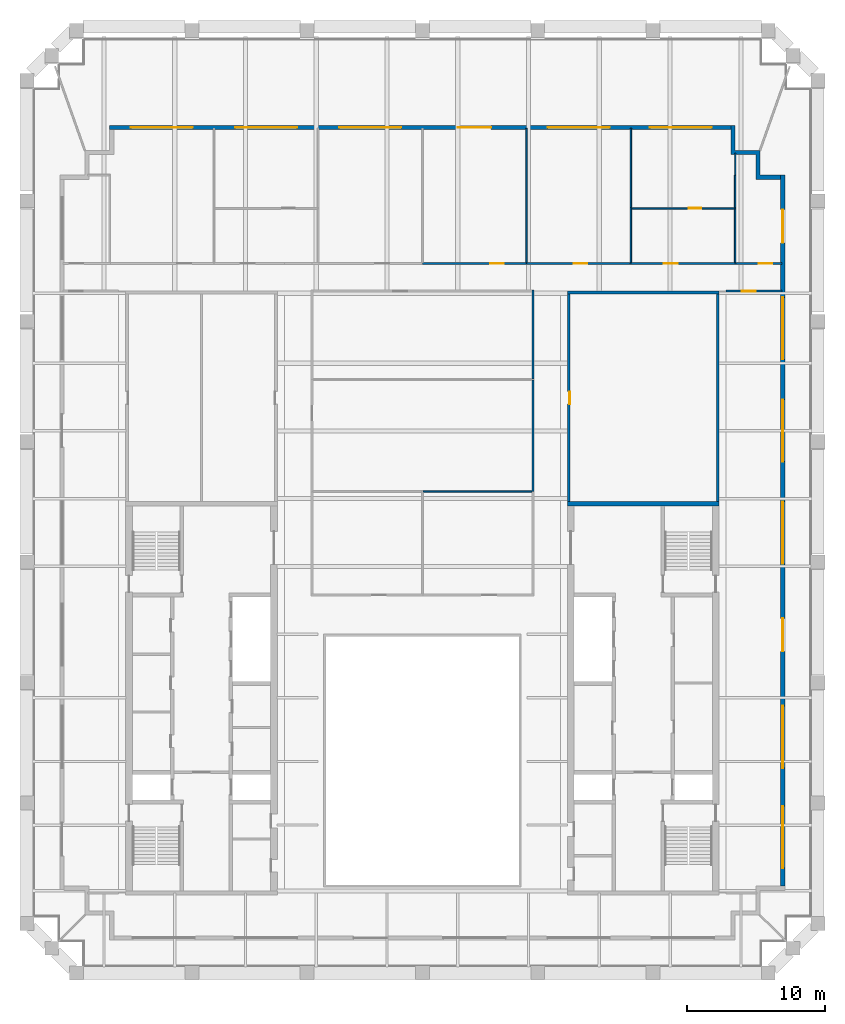
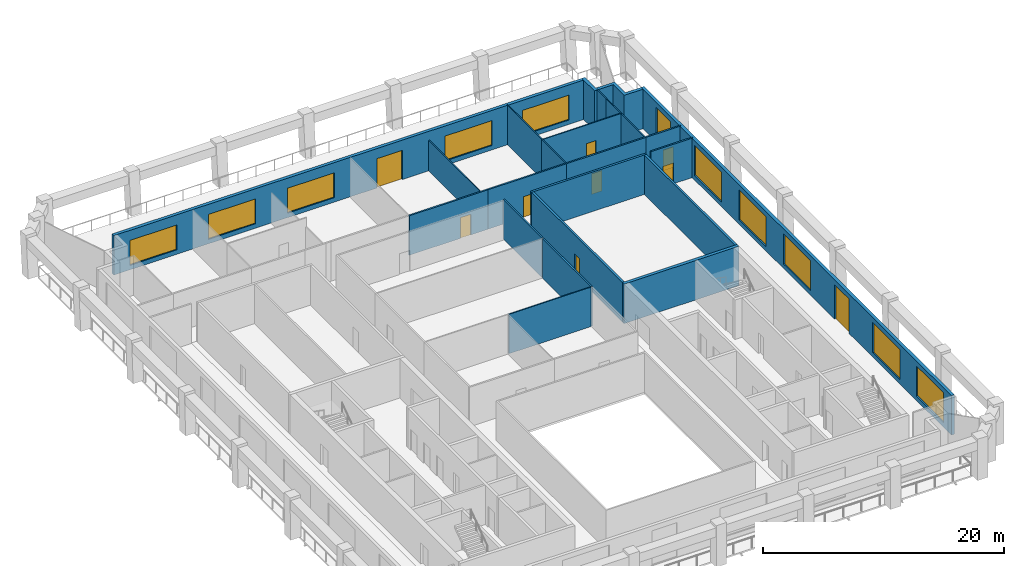
# One storey, part 6 of 8: 22 walls, 10 doors, 10 windows, 20 openings.
"""IFC4 building model written with IfcOpenShell, lengths in metres."""

from ifc_helpers import new_model, si_unit, direction, frame, frame_2d, origin, place, context, subcontext, project, spatial, polyline, rectangle, outline, extrude, material, layer, layer_set, type_object, element, fill, save


model = new_model("IFC4")

# Units and contexts
model_context = context("Model", 3, precision=1e-05, world=origin(), true_north=direction((0.0, 1.0)))
body_context = subcontext(model_context, "Body", "Model", "MODEL_VIEW")
ifc_project = project(units=[si_unit("LENGTHUNIT", "METRE"), si_unit("AREAUNIT", "SQUARE_METRE"), si_unit("VOLUMEUNIT", "CUBIC_METRE"), si_unit("PLANEANGLEUNIT", "RADIAN"), si_unit("MASSUNIT", "GRAM", prefix="KILO")], contexts=[model_context])

# Site, building, storey
site_placement = place(None, origin())
site = spatial("IfcSite", under=ifc_project, at=site_placement, CompositionType="ELEMENT")
building_placement = place(site_placement, origin())
building = spatial("IfcBuilding", under=site, at=building_placement, Name="Ogive Exchange Tower", CompositionType="ELEMENT")
storey_placement = place(building_placement, frame((0.0, 0.0, 351.0)))
storey = spatial("IfcBuildingStorey", under=building, at=storey_placement, Name="L77", CompositionType="ELEMENT", Elevation=351.0)

# Wall, opening, door
ifc_material_1 = material(Name="Fire partition EI 60 150")
ifc_layer_1 = layer(ifc_material_1, 0.14990234375)
ifc_layer_set_1 = layer_set([ifc_layer_1], Name="Fire partition EI 60 150")
wall_type_1 = type_object("IfcWallType", Name="Fire partition EI 60 150", PredefinedType="PARTITIONING", material=ifc_layer_set_1)
wall_1_placement = place(storey_placement, frame((0.0, 43.0, 0.0), z_axis=(0.0, 0.0, 1.0), x_axis=(1.0, 0.0, 0.0)))
wall_1 = element("IfcWall", 1, at=wall_1_placement, inside=storey, type_object=wall_type_1, Name="L77-PWL-025", PredefinedType="PARTITIONING", context=body_context, shape_type="SweptSolid", body=[
    extrude(rectangle(XDim=7.60009765625, YDim=0.14990234375, at=frame_2d((3.800048828125, 0.0))), origin(), (0.0, 0.0, 1.0), 4.0),
])
opening_1_placement = place(wall_1_placement, frame((4.89990234375, 0.0, 0.0)))
opening_1 = element("IfcOpeningElement", 2, at=opening_1_placement, cuts=wall_1, Name="Opening L77-I05", PredefinedType="OPENING", context=body_context, shape_type="SweptSolid", body=[
    extrude(rectangle(XDim=1.0, YDim=2.10009765625, at=frame_2d((0.5, 1.050048828125))), frame((0.0, 0.0849609375, 0.0), z_axis=(0.0, -1.0, 0.0), x_axis=(1.0, 0.0, 0.0)), (0.0, 0.0, 1.0), 0.169921875),
])
ifc_material_2 = material(Name="Fire door FD 30S 1000 x 2100")
door_type_1 = type_object("IfcDoorType", Name="Fire door FD 30S 1000 x 2100", OperationType="NOTDEFINED", PredefinedType="DOOR", material=ifc_material_2)
door_1_placement = place(opening_1_placement, origin())
door_1 = element("IfcDoor", 3, at=door_1_placement, inside=storey, type_object=door_type_1, Name="L77-IDR-005", ObjectType="DT3", OperationType="SINGLE_SWING_LEFT", OverallHeight=2.10009765625, OverallWidth=1.0, PredefinedType="DOOR", context=body_context, shape_type="SweptSolid", body=[
    extrude(rectangle(XDim=1.0, YDim=2.10009765625, at=frame_2d((0.5, 1.050048828125))), frame((0.0, 0.02490234375, 0.0), z_axis=(0.0, -1.0, 0.0), x_axis=(1.0, 0.0, 0.0)), (0.0, 0.0, 1.0), 0.050048828125),
])
fill(opening_1, door_1)

wall_2_placement = place(storey_placement, frame((7.550048828125, 43.0, 0.0), z_axis=(0.0, 0.0, 1.0), x_axis=(1.0, 0.0, 0.0)))
wall_2 = element("IfcWall", 4, at=wall_2_placement, inside=storey, type_object=wall_type_1, Name="L77-PWL-027", PredefinedType="PARTITIONING", context=body_context, shape_type="SweptSolid", body=[
    extrude(rectangle(XDim=7.5, YDim=0.14990234375, at=frame_2d((3.75, 0.0))), origin(), (0.0, 0.0, 1.0), 4.0),
])
opening_2_placement = place(wall_2_placement, frame((3.39990234375, 0.0, 0.0)))
opening_2 = element("IfcOpeningElement", 5, at=opening_2_placement, cuts=wall_2, Name="Opening L77-I02", PredefinedType="OPENING", context=body_context, shape_type="SweptSolid", body=[
    extrude(rectangle(XDim=1.0, YDim=2.10009765625, at=frame_2d((0.5, 1.050048828125))), frame((0.0, 0.0849609375, 0.0), z_axis=(0.0, -1.0, 0.0), x_axis=(1.0, 0.0, 0.0)), (0.0, 0.0, 1.0), 0.169921875),
])
door_2_placement = place(opening_2_placement, origin())
door_2 = element("IfcDoor", 6, at=door_2_placement, inside=storey, type_object=door_type_1, Name="L77-IDR-002", ObjectType="DT3", OperationType="SINGLE_SWING_LEFT", OverallHeight=2.10009765625, OverallWidth=1.0, PredefinedType="DOOR", context=body_context, shape_type="SweptSolid", body=[
    extrude(rectangle(XDim=1.0, YDim=2.10009765625, at=frame_2d((0.5, 1.050048828125))), frame((0.0, 0.02490234375, 0.0), z_axis=(0.0, -1.0, 0.0), x_axis=(1.0, 0.0, 0.0)), (0.0, 0.0, 1.0), 0.050048828125),
])
fill(opening_2, door_2)

# Walls
wall_3_placement = place(storey_placement, frame((8.0, 26.5, 0.0), z_axis=(0.0, 0.0, 1.0), x_axis=(0.0, 1.0, 0.0)))
element("IfcWall", 7, at=wall_3_placement, inside=storey, type_object=wall_type_1, Name="L77-PWL-030", PredefinedType="PARTITIONING", context=body_context, shape_type="SweptSolid", body=[
    extrude(rectangle(XDim=8.050048828125, YDim=0.14990234375, at=frame_2d((4.02490234375, 0.0))), origin(), (0.0, 0.0, 1.0), 4.0),
])
wall_4_placement = place(storey_placement, frame((8.0, 34.64990234375, 0.0), z_axis=(0.0, 0.0, 1.0), x_axis=(0.0, 1.0, 0.0)))
element("IfcWall", 8, at=wall_4_placement, inside=storey, type_object=wall_type_1, Name="L77-PWL-031", PredefinedType="PARTITIONING", context=body_context, shape_type="SweptSolid", body=[
    extrude(rectangle(XDim=6.425048828125, YDim=0.14990234375, at=frame_2d((3.21240234375, 0.0))), origin(), (0.0, 0.0, 1.0), 4.0),
])

# Wall, opening, door
wall_5_placement = place(storey_placement, frame((15.050048828125, 43.0, 0.0), z_axis=(0.0, 0.0, 1.0), x_axis=(1.0, 0.0, 0.0)))
wall_5 = element("IfcWall", 9, at=wall_5_placement, inside=storey, type_object=wall_type_1, Name="L77-PWL-033", PredefinedType="PARTITIONING", context=body_context, shape_type="SweptSolid", body=[
    extrude(rectangle(XDim=7.64990234375, YDim=0.14990234375, at=frame_2d((3.824951171875, 0.0))), origin(), (0.0, 0.0, 1.0), 4.0),
])
opening_3_placement = place(wall_5_placement, frame((2.449951171875, 0.0, 0.0)))
opening_3 = element("IfcOpeningElement", 10, at=opening_3_placement, cuts=wall_5, Name="Opening L77-I03", PredefinedType="OPENING", context=body_context, shape_type="SweptSolid", body=[
    extrude(rectangle(XDim=1.0, YDim=2.10009765625, at=frame_2d((0.5, 1.050048828125))), frame((0.0, 0.0849609375, 0.0), z_axis=(0.0, -1.0, 0.0), x_axis=(1.0, 0.0, 0.0)), (0.0, 0.0, 1.0), 0.169921875),
])
door_3_placement = place(opening_3_placement, origin())
door_3 = element("IfcDoor", 11, at=door_3_placement, inside=storey, type_object=door_type_1, Name="L77-IDR-003", ObjectType="DT3", OperationType="SINGLE_SWING_RIGHT", OverallHeight=2.10009765625, OverallWidth=1.0, PredefinedType="DOOR", context=body_context, shape_type="SweptSolid", body=[
    extrude(rectangle(XDim=1.0, YDim=2.10009765625, at=frame_2d((0.5, 1.050048828125))), frame((0.0, 0.02490234375, 0.0), z_axis=(0.0, -1.0, 0.0), x_axis=(1.0, 0.0, 0.0)), (0.0, 0.0, 1.0), 0.050048828125),
])
fill(opening_3, door_3)

wall_6_placement = place(storey_placement, frame((22.699951171875, 43.0, 0.0), z_axis=(0.0, 0.0, 1.0), x_axis=(1.0, 0.0, 0.0)))
wall_6 = element("IfcWall", 12, at=wall_6_placement, inside=storey, type_object=wall_type_1, Name="L77-PWL-039", PredefinedType="PARTITIONING", context=body_context, shape_type="SweptSolid", body=[
    extrude(rectangle(XDim=3.35009765625, YDim=0.14990234375, at=frame_2d((1.675048828125, 0.0))), origin(), (0.0, 0.0, 1.0), 4.0),
])
opening_4_placement = place(wall_6_placement, frame((1.64990234375, 0.0, 0.0)))
opening_4 = element("IfcOpeningElement", 13, at=opening_4_placement, cuts=wall_6, Name="Opening L77-I01", PredefinedType="OPENING", context=body_context, shape_type="SweptSolid", body=[
    extrude(rectangle(XDim=1.0, YDim=2.10009765625, at=frame_2d((0.5, 1.050048828125))), frame((0.0, 0.0849609375, 0.0), z_axis=(0.0, -1.0, 0.0), x_axis=(1.0, 0.0, 0.0)), (0.0, 0.0, 1.0), 0.169921875),
])
door_4_placement = place(opening_4_placement, origin())
door_4 = element("IfcDoor", 14, at=door_4_placement, inside=storey, type_object=door_type_1, Name="L77-IDR-001", ObjectType="DT3", OperationType="SINGLE_SWING_LEFT", OverallHeight=2.10009765625, OverallWidth=1.0, PredefinedType="DOOR", context=body_context, shape_type="SweptSolid", body=[
    extrude(rectangle(XDim=1.0, YDim=2.10009765625, at=frame_2d((0.5, 1.050048828125))), frame((0.0, 0.02490234375, 0.0), z_axis=(0.0, -1.0, 0.0), x_axis=(1.0, 0.0, 0.0)), (0.0, 0.0, 1.0), 0.050048828125),
])
fill(opening_4, door_4)

wall_7_placement = place(storey_placement, frame((26.050048828125, 41.0, 0.0), z_axis=(0.0, 0.0, 1.0), x_axis=(-1.0, 0.0, 0.0)))
wall_7 = element("IfcWall", 15, at=wall_7_placement, inside=storey, type_object=wall_type_1, Name="L77-PWL-042", PredefinedType="PARTITIONING", context=body_context, shape_type="SweptSolid", body=[
    extrude(rectangle(XDim=4.050048828125, YDim=0.14990234375, at=frame_2d((2.02490234375, 0.0))), origin(), (0.0, 0.0, 1.0), 4.0),
])
opening_5_placement = place(wall_7_placement, frame((1.89990234375, 0.0, 0.0)))
opening_5 = element("IfcOpeningElement", 16, at=opening_5_placement, cuts=wall_7, Name="Opening L77-I16", PredefinedType="OPENING", context=body_context, shape_type="SweptSolid", body=[
    extrude(rectangle(XDim=1.0, YDim=2.10009765625, at=frame_2d((0.5, 1.050048828125))), frame((0.0, 0.0849609375, 0.0), z_axis=(0.0, -1.0, 0.0), x_axis=(1.0, 0.0, 0.0)), (0.0, 0.0, 1.0), 0.169921875),
])
door_5_placement = place(opening_5_placement, origin())
door_5 = element("IfcDoor", 17, at=door_5_placement, inside=storey, type_object=door_type_1, Name="L77-IDR-016", ObjectType="DT3", OperationType="SINGLE_SWING_LEFT", OverallHeight=2.10009765625, OverallWidth=1.0, PredefinedType="DOOR", context=body_context, shape_type="SweptSolid", body=[
    extrude(rectangle(XDim=1.0, YDim=2.10009765625, at=frame_2d((0.5, 1.050048828125))), frame((0.0, 0.02490234375, 0.0), z_axis=(0.0, -1.0, 0.0), x_axis=(1.0, 0.0, 0.0)), (0.0, 0.0, 1.0), 0.050048828125),
])
fill(opening_5, door_5)

# Wall, openings, doors, windows
ifc_material_3 = material(Name="Precast concrete C40/50", Category="concrete")
ifc_layer_2 = layer(ifc_material_3, 0.300048828125)
ifc_layer_set_2 = layer_set([ifc_layer_2], Name="Limestone-faced wall 300")
wall_type_2 = type_object("IfcWallType", Name="Limestone-faced wall 300", PredefinedType="STANDARD", material=ifc_layer_set_2)
wall_8_placement = place(storey_placement, frame((26.10009765625, -2.10009765625, 0.0), z_axis=(0.0, 0.0, 1.0), x_axis=(0.0, 1.0, 0.0)))
wall_8 = element("IfcWall", 18, at=wall_8_placement, inside=storey, type_object=wall_type_2, Name="External wall E2", PredefinedType="STANDARD", context=body_context, shape_type="SweptSolid", body=[
    extrude(rectangle(XDim=51.5, YDim=0.300048828125, at=frame_2d((25.75, 0.0))), origin(), (0.0, 0.0, 1.0), 4.0),
])
opening_6_placement = place(wall_8_placement, frame((1.300048828125, 0.0, 0.449951171875)))
opening_6 = element("IfcOpeningElement", 19, at=opening_6_placement, cuts=wall_8, Name="Opening W1", PredefinedType="OPENING", context=body_context, shape_type="SweptSolid", body=[
    extrude(rectangle(XDim=4.5, YDim=3.050048828125, at=frame_2d((2.25, 1.52490234375))), frame((0.0, 0.159912109375, 0.0), z_axis=(0.0, -1.0, 0.0), x_axis=(1.0, 0.0, 0.0)), (0.0, 0.0, 1.0), 0.320068359375),
])
opening_7_placement = place(wall_8_placement, frame((8.550048828125, 0.0, 0.449951171875)))
opening_7 = element("IfcOpeningElement", 20, at=opening_7_placement, cuts=wall_8, Name="Opening W1", PredefinedType="OPENING", context=body_context, shape_type="SweptSolid", body=[
    extrude(rectangle(XDim=4.5, YDim=3.050048828125, at=frame_2d((2.25, 1.52490234375))), frame((0.0, 0.159912109375, 0.0), z_axis=(0.0, -1.0, 0.0), x_axis=(1.0, 0.0, 0.0)), (0.0, 0.0, 1.0), 0.320068359375),
])
opening_8_placement = place(wall_8_placement, frame((17.0, 0.0, 0.0)))
opening_8 = element("IfcOpeningElement", 21, at=opening_8_placement, cuts=wall_8, Name="Opening D1", PredefinedType="OPENING", context=body_context, shape_type="SweptSolid", body=[
    extrude(rectangle(XDim=2.39990234375, YDim=3.5, at=frame_2d((1.199951171875, 1.75))), frame((0.0, 0.159912109375, 0.0), z_axis=(0.0, -1.0, 0.0), x_axis=(1.0, 0.0, 0.0)), (0.0, 0.0, 1.0), 0.320068359375),
])
opening_9_placement = place(wall_8_placement, frame((23.35009765625, 0.0, 0.449951171875)))
opening_9 = element("IfcOpeningElement", 22, at=opening_9_placement, cuts=wall_8, Name="Opening W1", PredefinedType="OPENING", context=body_context, shape_type="SweptSolid", body=[
    extrude(rectangle(XDim=4.5, YDim=3.050048828125, at=frame_2d((2.25, 1.52490234375))), frame((0.0, 0.159912109375, 0.0), z_axis=(0.0, -1.0, 0.0), x_axis=(1.0, 0.0, 0.0)), (0.0, 0.0, 1.0), 0.320068359375),
])
opening_10_placement = place(wall_8_placement, frame((30.75, 0.0, 0.449951171875)))
opening_10 = element("IfcOpeningElement", 23, at=opening_10_placement, cuts=wall_8, Name="Opening W1", PredefinedType="OPENING", context=body_context, shape_type="SweptSolid", body=[
    extrude(rectangle(XDim=4.5, YDim=3.050048828125, at=frame_2d((2.25, 1.52490234375))), frame((0.0, 0.159912109375, 0.0), z_axis=(0.0, -1.0, 0.0), x_axis=(1.0, 0.0, 0.0)), (0.0, 0.0, 1.0), 0.320068359375),
])
opening_11_placement = place(wall_8_placement, frame((38.14990234375, 0.0, 0.449951171875)))
opening_11 = element("IfcOpeningElement", 24, at=opening_11_placement, cuts=wall_8, Name="Opening W1", PredefinedType="OPENING", context=body_context, shape_type="SweptSolid", body=[
    extrude(rectangle(XDim=4.5, YDim=3.050048828125, at=frame_2d((2.25, 1.52490234375))), frame((0.0, 0.159912109375, 0.0), z_axis=(0.0, -1.0, 0.0), x_axis=(1.0, 0.0, 0.0)), (0.0, 0.0, 1.0), 0.320068359375),
])
opening_12_placement = place(wall_8_placement, frame((46.60009765625, 0.0, 0.0)))
opening_12 = element("IfcOpeningElement", 25, at=opening_12_placement, cuts=wall_8, Name="Opening D1", PredefinedType="OPENING", context=body_context, shape_type="SweptSolid", body=[
    extrude(rectangle(XDim=2.39990234375, YDim=3.5, at=frame_2d((1.199951171875, 1.75))), frame((0.0, 0.159912109375, 0.0), z_axis=(0.0, -1.0, 0.0), x_axis=(1.0, 0.0, 0.0)), (0.0, 0.0, 1.0), 0.320068359375),
])
ifc_material_4 = material(Name="Clear glass in bronze frame", Category="glass")
door_type_2 = type_object("IfcDoorType", Name="Sliding loggia door 2400 x 3500", OperationType="DOUBLE_DOOR_SLIDING", PredefinedType="DOOR", material=ifc_material_4)
door_6_placement = place(opening_8_placement, origin())
door_6 = element("IfcDoor", 26, at=door_6_placement, inside=storey, type_object=door_type_2, Name="Loggia door E02", OperationType="DOUBLE_DOOR_SLIDING", OverallHeight=3.5, OverallWidth=2.39990234375, PredefinedType="DOOR", context=body_context, shape_type="SweptSolid", body=[
    extrude(rectangle(XDim=2.39990234375, YDim=3.5, at=frame_2d((1.199951171875, 1.75))), frame((0.0, 0.02490234375, 0.0), z_axis=(0.0, -1.0, 0.0), x_axis=(1.0, 0.0, 0.0)), (0.0, 0.0, 1.0), 0.050048828125),
])
fill(opening_8, door_6)
door_7_placement = place(opening_12_placement, origin())
door_7 = element("IfcDoor", 27, at=door_7_placement, inside=storey, type_object=door_type_2, Name="Loggia door E06", OperationType="DOUBLE_DOOR_SLIDING", OverallHeight=3.5, OverallWidth=2.39990234375, PredefinedType="DOOR", context=body_context, shape_type="SweptSolid", body=[
    extrude(rectangle(XDim=2.39990234375, YDim=3.5, at=frame_2d((1.199951171875, 1.75))), frame((0.0, 0.02490234375, 0.0), z_axis=(0.0, -1.0, 0.0), x_axis=(1.0, 0.0, 0.0)), (0.0, 0.0, 1.0), 0.050048828125),
])
fill(opening_12, door_7)
window_type_1 = type_object("IfcWindowType", Name="Twin lancet window 4500 x 3050", PartitioningType="DOUBLE_PANEL_VERTICAL", PredefinedType="WINDOW", material=ifc_material_4)
window_1_placement = place(opening_6_placement, origin())
window_1 = element("IfcWindow", 28, at=window_1_placement, inside=storey, type_object=window_type_1, Name="Window E00", OverallHeight=3.050048828125, OverallWidth=4.5, PartitioningType="DOUBLE_PANEL_VERTICAL", PredefinedType="WINDOW", context=body_context, shape_type="SweptSolid", body=[
    extrude(rectangle(XDim=4.5, YDim=3.050048828125, at=frame_2d((2.25, 1.52490234375))), frame((0.0, 0.030029296875, 0.0), z_axis=(0.0, -1.0, 0.0), x_axis=(1.0, 0.0, 0.0)), (0.0, 0.0, 1.0), 0.06005859375),
])
fill(opening_6, window_1)
window_2_placement = place(opening_7_placement, origin())
window_2 = element("IfcWindow", 29, at=window_2_placement, inside=storey, type_object=window_type_1, Name="Window E01", OverallHeight=3.050048828125, OverallWidth=4.5, PartitioningType="DOUBLE_PANEL_VERTICAL", PredefinedType="WINDOW", context=body_context, shape_type="SweptSolid", body=[
    extrude(rectangle(XDim=4.5, YDim=3.050048828125, at=frame_2d((2.25, 1.52490234375))), frame((0.0, 0.030029296875, 0.0), z_axis=(0.0, -1.0, 0.0), x_axis=(1.0, 0.0, 0.0)), (0.0, 0.0, 1.0), 0.06005859375),
])
fill(opening_7, window_2)
window_3_placement = place(opening_9_placement, origin())
window_3 = element("IfcWindow", 30, at=window_3_placement, inside=storey, type_object=window_type_1, Name="Window E03", OverallHeight=3.050048828125, OverallWidth=4.5, PartitioningType="DOUBLE_PANEL_VERTICAL", PredefinedType="WINDOW", context=body_context, shape_type="SweptSolid", body=[
    extrude(rectangle(XDim=4.5, YDim=3.050048828125, at=frame_2d((2.25, 1.52490234375))), frame((0.0, 0.030029296875, 0.0), z_axis=(0.0, -1.0, 0.0), x_axis=(1.0, 0.0, 0.0)), (0.0, 0.0, 1.0), 0.06005859375),
])
fill(opening_9, window_3)
window_4_placement = place(opening_10_placement, origin())
window_4 = element("IfcWindow", 31, at=window_4_placement, inside=storey, type_object=window_type_1, Name="Window E04", OverallHeight=3.050048828125, OverallWidth=4.5, PartitioningType="DOUBLE_PANEL_VERTICAL", PredefinedType="WINDOW", context=body_context, shape_type="SweptSolid", body=[
    extrude(rectangle(XDim=4.5, YDim=3.050048828125, at=frame_2d((2.25, 1.52490234375))), frame((0.0, 0.030029296875, 0.0), z_axis=(0.0, -1.0, 0.0), x_axis=(1.0, 0.0, 0.0)), (0.0, 0.0, 1.0), 0.06005859375),
])
fill(opening_10, window_4)
window_5_placement = place(opening_11_placement, origin())
window_5 = element("IfcWindow", 32, at=window_5_placement, inside=storey, type_object=window_type_1, Name="Window E05", OverallHeight=3.050048828125, OverallWidth=4.5, PartitioningType="DOUBLE_PANEL_VERTICAL", PredefinedType="WINDOW", context=body_context, shape_type="SweptSolid", body=[
    extrude(rectangle(XDim=4.5, YDim=3.050048828125, at=frame_2d((2.25, 1.52490234375))), frame((0.0, 0.030029296875, 0.0), z_axis=(0.0, -1.0, 0.0), x_axis=(1.0, 0.0, 0.0)), (0.0, 0.0, 1.0), 0.06005859375),
])
fill(opening_11, window_5)

# Wall, openings, door, windows
wall_9_placement = place(storey_placement, frame((22.35009765625, 52.85009765625, 0.0), z_axis=(0.0, 0.0, 1.0), x_axis=(-1.0, 0.0, 0.0)))
wall_9 = element("IfcWall", 33, at=wall_9_placement, inside=storey, type_object=wall_type_2, Name="External wall N3", PredefinedType="STANDARD", context=body_context, shape_type="SweptSolid", body=[
    extrude(rectangle(XDim=45.0, YDim=0.300048828125, at=frame_2d((22.5, 0.0))), origin(), (0.0, 0.0, 1.0), 4.0),
])
opening_13_placement = place(wall_9_placement, frame((1.375, 0.0, 0.449951171875)))
opening_13 = element("IfcOpeningElement", 34, at=opening_13_placement, cuts=wall_9, Name="Opening W1N", PredefinedType="OPENING", context=body_context, shape_type="SweptSolid", body=[
    extrude(rectangle(XDim=4.5, YDim=2.52490234375, at=frame_2d((2.25, 1.262451171875))), frame((0.0, 0.159912109375, 0.0), z_axis=(0.0, -1.0, 0.0), x_axis=(1.0, 0.0, 0.0)), (0.0, 0.0, 1.0), 0.320068359375),
])
opening_14_placement = place(wall_9_placement, frame((8.77490234375, 0.0, 0.449951171875)))
opening_14 = element("IfcOpeningElement", 35, at=opening_14_placement, cuts=wall_9, Name="Opening W1N", PredefinedType="OPENING", context=body_context, shape_type="SweptSolid", body=[
    extrude(rectangle(XDim=4.5, YDim=2.52490234375, at=frame_2d((2.25, 1.262451171875))), frame((0.0, 0.159912109375, 0.0), z_axis=(0.0, -1.0, 0.0), x_axis=(1.0, 0.0, 0.0)), (0.0, 0.0, 1.0), 0.320068359375),
])
opening_15_placement = place(wall_9_placement, frame((17.375, 0.0, 0.0)))
opening_15 = element("IfcOpeningElement", 36, at=opening_15_placement, cuts=wall_9, Name="Opening D1N", PredefinedType="OPENING", context=body_context, shape_type="SweptSolid", body=[
    extrude(rectangle(XDim=2.39990234375, YDim=2.97509765625, at=frame_2d((1.199951171875, 1.487548828125))), frame((0.0, 0.159912109375, 0.0), z_axis=(0.0, -1.0, 0.0), x_axis=(1.0, 0.0, 0.0)), (0.0, 0.0, 1.0), 0.320068359375),
])
opening_16_placement = place(wall_9_placement, frame((23.875, 0.0, 0.449951171875)))
opening_16 = element("IfcOpeningElement", 37, at=opening_16_placement, cuts=wall_9, Name="Opening W1N", PredefinedType="OPENING", context=body_context, shape_type="SweptSolid", body=[
    extrude(rectangle(XDim=4.5, YDim=2.52490234375, at=frame_2d((2.25, 1.262451171875))), frame((0.0, 0.159912109375, 0.0), z_axis=(0.0, -1.0, 0.0), x_axis=(1.0, 0.0, 0.0)), (0.0, 0.0, 1.0), 0.320068359375),
])
opening_17_placement = place(wall_9_placement, frame((31.425048828125, 0.0, 0.449951171875)))
opening_17 = element("IfcOpeningElement", 38, at=opening_17_placement, cuts=wall_9, Name="Opening W1N", PredefinedType="OPENING", context=body_context, shape_type="SweptSolid", body=[
    extrude(rectangle(XDim=4.5, YDim=2.52490234375, at=frame_2d((2.25, 1.262451171875))), frame((0.0, 0.159912109375, 0.0), z_axis=(0.0, -1.0, 0.0), x_axis=(1.0, 0.0, 0.0)), (0.0, 0.0, 1.0), 0.320068359375),
])
opening_18_placement = place(wall_9_placement, frame((38.97509765625, 0.0, 0.449951171875)))
opening_18 = element("IfcOpeningElement", 39, at=opening_18_placement, cuts=wall_9, Name="Opening W1N", PredefinedType="OPENING", context=body_context, shape_type="SweptSolid", body=[
    extrude(rectangle(XDim=4.5, YDim=2.52490234375, at=frame_2d((2.25, 1.262451171875))), frame((0.0, 0.159912109375, 0.0), z_axis=(0.0, -1.0, 0.0), x_axis=(1.0, 0.0, 0.0)), (0.0, 0.0, 1.0), 0.320068359375),
])
door_type_3 = type_object("IfcDoorType", Name="Sliding loggia door 2400 x 2975", OperationType="DOUBLE_DOOR_SLIDING", PredefinedType="DOOR", material=ifc_material_4)
door_8_placement = place(opening_15_placement, origin())
door_8 = element("IfcDoor", 40, at=door_8_placement, inside=storey, type_object=door_type_3, Name="Loggia door N02", OperationType="DOUBLE_DOOR_SLIDING", OverallHeight=2.97509765625, OverallWidth=2.39990234375, PredefinedType="DOOR", context=body_context, shape_type="SweptSolid", body=[
    extrude(rectangle(XDim=2.39990234375, YDim=2.97509765625, at=frame_2d((1.199951171875, 1.487548828125))), frame((0.0, 0.02490234375, 0.0), z_axis=(0.0, -1.0, 0.0), x_axis=(1.0, 0.0, 0.0)), (0.0, 0.0, 1.0), 0.050048828125),
])
fill(opening_15, door_8)
window_type_2 = type_object("IfcWindowType", Name="Twin lancet window 4500 x 2525", PartitioningType="DOUBLE_PANEL_VERTICAL", PredefinedType="WINDOW", material=ifc_material_4)
window_6_placement = place(opening_13_placement, origin())
window_6 = element("IfcWindow", 41, at=window_6_placement, inside=storey, type_object=window_type_2, Name="Window N00", OverallHeight=2.52490234375, OverallWidth=4.5, PartitioningType="DOUBLE_PANEL_VERTICAL", PredefinedType="WINDOW", context=body_context, shape_type="SweptSolid", body=[
    extrude(rectangle(XDim=4.5, YDim=2.52490234375, at=frame_2d((2.25, 1.262451171875))), frame((0.0, 0.030029296875, 0.0), z_axis=(0.0, -1.0, 0.0), x_axis=(1.0, 0.0, 0.0)), (0.0, 0.0, 1.0), 0.06005859375),
])
fill(opening_13, window_6)
window_7_placement = place(opening_14_placement, origin())
window_7 = element("IfcWindow", 42, at=window_7_placement, inside=storey, type_object=window_type_2, Name="Window N01", OverallHeight=2.52490234375, OverallWidth=4.5, PartitioningType="DOUBLE_PANEL_VERTICAL", PredefinedType="WINDOW", context=body_context, shape_type="SweptSolid", body=[
    extrude(rectangle(XDim=4.5, YDim=2.52490234375, at=frame_2d((2.25, 1.262451171875))), frame((0.0, 0.030029296875, 0.0), z_axis=(0.0, -1.0, 0.0), x_axis=(1.0, 0.0, 0.0)), (0.0, 0.0, 1.0), 0.06005859375),
])
fill(opening_14, window_7)
window_8_placement = place(opening_16_placement, origin())
window_8 = element("IfcWindow", 43, at=window_8_placement, inside=storey, type_object=window_type_2, Name="Window N03", OverallHeight=2.52490234375, OverallWidth=4.5, PartitioningType="DOUBLE_PANEL_VERTICAL", PredefinedType="WINDOW", context=body_context, shape_type="SweptSolid", body=[
    extrude(rectangle(XDim=4.5, YDim=2.52490234375, at=frame_2d((2.25, 1.262451171875))), frame((0.0, 0.030029296875, 0.0), z_axis=(0.0, -1.0, 0.0), x_axis=(1.0, 0.0, 0.0)), (0.0, 0.0, 1.0), 0.06005859375),
])
fill(opening_16, window_8)
window_9_placement = place(opening_17_placement, origin())
window_9 = element("IfcWindow", 44, at=window_9_placement, inside=storey, type_object=window_type_2, Name="Window N04", OverallHeight=2.52490234375, OverallWidth=4.5, PartitioningType="DOUBLE_PANEL_VERTICAL", PredefinedType="WINDOW", context=body_context, shape_type="SweptSolid", body=[
    extrude(rectangle(XDim=4.5, YDim=2.52490234375, at=frame_2d((2.25, 1.262451171875))), frame((0.0, 0.030029296875, 0.0), z_axis=(0.0, -1.0, 0.0), x_axis=(1.0, 0.0, 0.0)), (0.0, 0.0, 1.0), 0.06005859375),
])
fill(opening_17, window_9)
window_10_placement = place(opening_18_placement, origin())
window_10 = element("IfcWindow", 45, at=window_10_placement, inside=storey, type_object=window_type_2, Name="Window N05", OverallHeight=2.52490234375, OverallWidth=4.5, PartitioningType="DOUBLE_PANEL_VERTICAL", PredefinedType="WINDOW", context=body_context, shape_type="SweptSolid", body=[
    extrude(rectangle(XDim=4.5, YDim=2.52490234375, at=frame_2d((2.25, 1.262451171875))), frame((0.0, 0.030029296875, 0.0), z_axis=(0.0, -1.0, 0.0), x_axis=(1.0, 0.0, 0.0)), (0.0, 0.0, 1.0), 0.06005859375),
])
fill(opening_18, window_10)

# Walls
wall_10_placement = place(storey_placement, origin())
element("IfcWall", 46, at=wall_10_placement, inside=storey, type_object=wall_type_2, Name="External corner wall C2", PredefinedType="STANDARD", context=body_context, shape_type="SweptSolid", body=[
    extrude(outline(polyline([(24.14990234375, 50.89990234375), (22.35009765625, 50.89990234375), (22.35009765625, 53.0), (22.64990234375, 53.0), (22.64990234375, 51.199951171875), (24.449951171875, 51.199951171875), (24.449951171875, 49.39990234375), (25.949951171875, 49.39990234375), (25.949951171875, 49.10009765625), (24.14990234375, 49.10009765625), (24.14990234375, 50.89990234375)])), origin(), (0.0, 0.0, 1.0), 4.0),
])
ifc_material_5 = material(Name="Partition 100 gypsum")
ifc_layer_3 = layer(ifc_material_5, 0.10009765625)
ifc_layer_set_3 = layer_set([ifc_layer_3], Name="Partition 100 gypsum")
wall_type_3 = type_object("IfcWallType", Name="Partition 100 gypsum", PredefinedType="PARTITIONING", material=ifc_layer_set_3)
wall_11_placement = place(storey_placement, frame((7.550048828125, 43.074951171875, 0.0), z_axis=(0.0, 0.0, 1.0), x_axis=(0.0, 1.0, 0.0)))
element("IfcWall", 47, at=wall_11_placement, inside=storey, type_object=wall_type_3, Name="L77-PWL-026", PredefinedType="PARTITIONING", context=body_context, shape_type="SweptSolid", body=[
    extrude(rectangle(XDim=9.72509765625, YDim=0.10009765625, at=frame_2d((4.862548828125, 0.0))), origin(), (0.0, 0.0, 1.0), 3.095947265625),
])
wall_12_placement = place(storey_placement, frame((7.925048828125, 26.5, 0.0), z_axis=(0.0, 0.0, 1.0), x_axis=(-1.0, 0.0, 0.0)))
element("IfcWall", 48, at=wall_12_placement, inside=storey, type_object=wall_type_3, Name="L77-PWL-029", PredefinedType="PARTITIONING", context=body_context, shape_type="SweptSolid", body=[
    extrude(rectangle(XDim=7.875, YDim=0.10009765625, at=frame_2d((3.9375, 0.0))), origin(), (0.0, 0.0, 1.0), 4.0),
])
wall_13_placement = place(storey_placement, frame((15.10009765625, 47.050048828125, 0.0), z_axis=(0.0, 0.0, 1.0), x_axis=(0.0, -1.0, 0.0)))
element("IfcWall", 49, at=wall_13_placement, inside=storey, type_object=wall_type_3, Name="L77-PWL-034", PredefinedType="PARTITIONING", context=body_context, shape_type="SweptSolid", body=[
    extrude(rectangle(XDim=3.97509765625, YDim=0.10009765625, at=frame_2d((1.987548828125, 0.0))), origin(), (0.0, 0.0, 1.0), 4.0),
])

# Wall, opening, door
wall_14_placement = place(storey_placement, frame((15.14990234375, 47.0, 0.0), z_axis=(0.0, 0.0, 1.0), x_axis=(1.0, 0.0, 0.0)))
wall_14 = element("IfcWall", 50, at=wall_14_placement, inside=storey, type_object=wall_type_3, Name="L77-PWL-035", PredefinedType="PARTITIONING", context=body_context, shape_type="SweptSolid", body=[
    extrude(rectangle(XDim=7.550048828125, YDim=0.10009765625, at=frame_2d((3.77490234375, 0.0))), origin(), (0.0, 0.0, 1.0), 4.0),
])
opening_19_placement = place(wall_14_placement, frame((4.14990234375, 0.0, 0.0)))
opening_19 = element("IfcOpeningElement", 51, at=opening_19_placement, cuts=wall_14, Name="Opening L77-I04", PredefinedType="OPENING", context=body_context, shape_type="SweptSolid", body=[
    extrude(rectangle(XDim=0.89990234375, YDim=2.10009765625, at=frame_2d((0.449951171875, 1.050048828125))), frame((0.0, 0.06005859375, 0.0), z_axis=(0.0, -1.0, 0.0), x_axis=(1.0, 0.0, 0.0)), (0.0, 0.0, 1.0), 0.1201171875),
])
ifc_material_6 = material(Name="Door 900 x 2100")
door_type_4 = type_object("IfcDoorType", Name="Door 900 x 2100", OperationType="NOTDEFINED", PredefinedType="DOOR", material=ifc_material_6)
door_9_placement = place(opening_19_placement, frame((0.89990234375, 0.0, 0.0), z_axis=(0.0, 0.0, 1.0), x_axis=(-1.0, 0.0, 0.0)))
door_9 = element("IfcDoor", 52, at=door_9_placement, inside=storey, type_object=door_type_4, Name="L77-IDR-004", ObjectType="DT1", OperationType="SINGLE_SWING_RIGHT", OverallHeight=2.10009765625, OverallWidth=0.89990234375, PredefinedType="DOOR", context=body_context, shape_type="SweptSolid", body=[
    extrude(rectangle(XDim=0.89990234375, YDim=2.10009765625, at=frame_2d((0.449951171875, 1.050048828125))), frame((0.0, 0.02490234375, 0.0), z_axis=(0.0, -1.0, 0.0), x_axis=(1.0, 0.0, 0.0)), (0.0, 0.0, 1.0), 0.050048828125),
])
fill(opening_19, door_9)

# Walls
wall_15_placement = place(storey_placement, frame((15.10009765625, 52.800048828125, 0.0), z_axis=(0.0, 0.0, 1.0), x_axis=(0.0, -1.0, 0.0)))
element("IfcWall", 53, at=wall_15_placement, inside=storey, type_object=wall_type_3, Name="L77-PWL-036", PredefinedType="PARTITIONING", context=body_context, shape_type="SweptSolid", body=[
    extrude(rectangle(XDim=5.800048828125, YDim=0.10009765625, at=frame_2d((2.89990234375, 0.0))), origin(), (0.0, 0.0, 1.0), 4.0),
])
wall_16_placement = place(storey_placement, frame((22.64990234375, 43.074951171875, 0.0), z_axis=(0.0, 0.0, 1.0), x_axis=(0.0, 1.0, 0.0)))
element("IfcWall", 54, at=wall_16_placement, inside=storey, type_object=wall_type_3, Name="L77-PWL-038", PredefinedType="PARTITIONING", context=body_context, shape_type="SweptSolid", body=[
    extrude(rectangle(XDim=3.875, YDim=0.10009765625, at=frame_2d((1.9375, 0.0))), origin(), (0.0, 0.0, 1.0), 4.0),
])
wall_17_placement = place(storey_placement, frame((22.64990234375, 47.050048828125, 0.0), z_axis=(0.0, 0.0, 1.0), x_axis=(0.0, 1.0, 0.0)))
element("IfcWall", 55, at=wall_17_placement, inside=storey, type_object=wall_type_3, Name="L77-PWL-040", PredefinedType="PARTITIONING", context=body_context, shape_type="SweptSolid", body=[
    extrude(rectangle(XDim=2.35986328125, YDim=0.10009765625, at=frame_2d((1.179931640625, 0.0))), origin(), (0.0, 0.0, 1.0), 4.0),
])
wall_18_placement = place(storey_placement, frame((22.659912109375, 49.409912109375, 0.0), z_axis=(0.0, 0.0, 1.0), x_axis=(0.0, 1.0, 0.0)))
element("IfcWall", 56, at=wall_18_placement, inside=storey, type_object=wall_type_3, Name="L77-PWL-041", PredefinedType="PARTITIONING", context=body_context, shape_type="SweptSolid", body=[
    extrude(rectangle(XDim=1.590087890625, YDim=0.10009765625, at=frame_2d((0.794921875, 0.0))), origin(), (0.0, 0.0, 1.0), 4.0),
])
ifc_material_7 = material(Name="Concrete C70/85", Category="concrete")
ifc_layer_4 = layer(ifc_material_7, 0.199951171875)
ifc_layer_set_4 = layer_set([ifc_layer_4], Name="RC core wall 200 C70/85")
wall_type_4 = type_object("IfcWallType", Name="RC core wall 200 C70/85", PredefinedType="SHEAR", material=ifc_layer_set_4)
wall_19_placement = place(storey_placement, frame((21.39990234375, 25.75, 0.0), z_axis=(0.0, 0.0, 1.0), x_axis=(0.0, 1.0, 0.0)))
element("IfcWall", 57, at=wall_19_placement, inside=storey, type_object=wall_type_4, Name="E annex N outer wall", PredefinedType="SHEAR", context=body_context, shape_type="SweptSolid", body=[
    extrude(rectangle(XDim=15.050048828125, YDim=0.199951171875, at=frame_2d((7.52490234375, 0.0))), origin(), (0.0, 0.0, 1.0), 4.0),
])

# Wall, opening, door
wall_20_placement = place(storey_placement, frame((10.60009765625, 25.75, 0.0), z_axis=(0.0, 0.0, 1.0), x_axis=(0.0, 1.0, 0.0)))
wall_20 = element("IfcWall", 58, at=wall_20_placement, inside=storey, type_object=wall_type_4, Name="E annex N inner wall", PredefinedType="SHEAR", context=body_context, shape_type="SweptSolid", body=[
    extrude(rectangle(XDim=15.050048828125, YDim=0.199951171875, at=frame_2d((7.52490234375, 0.0))), origin(), (0.0, 0.0, 1.0), 4.0),
])
opening_20_placement = place(wall_20_placement, frame((7.074951171875, 0.0, 0.0)))
opening_20 = element("IfcOpeningElement", 59, at=opening_20_placement, cuts=wall_20, Name="Opening L77-C37", PredefinedType="OPENING", context=body_context, shape_type="SweptSolid", body=[
    extrude(rectangle(XDim=0.89990234375, YDim=2.10009765625, at=frame_2d((0.449951171875, 1.050048828125))), frame((0.0, 0.10986328125, 0.0), z_axis=(0.0, -1.0, 0.0), x_axis=(1.0, 0.0, 0.0)), (0.0, 0.0, 1.0), 0.219970703125),
])
ifc_material_8 = material(Name="Steel fire door", Category="steel")
door_type_5 = type_object("IfcDoorType", Name="Riser door FD60 900 x 2100", OperationType="NOTDEFINED", PredefinedType="DOOR", material=ifc_material_8)
door_10_placement = place(opening_20_placement, origin())
door_10 = element("IfcDoor", 60, at=door_10_placement, inside=storey, type_object=door_type_5, Name="Riser door", ObjectType="CD2", OperationType="SINGLE_SWING_LEFT", OverallHeight=2.10009765625, OverallWidth=0.89990234375, PredefinedType="DOOR", context=body_context, shape_type="SweptSolid", body=[
    extrude(rectangle(XDim=0.89990234375, YDim=2.10009765625, at=frame_2d((0.449951171875, 1.050048828125))), frame((0.0, -0.0498046875, 0.0), z_axis=(0.0, -1.0, 0.0), x_axis=(1.0, 0.0, 0.0)), (0.0, 0.0, 1.0), 0.050048828125),
])
fill(opening_20, door_10)

# Walls
wall_21_placement = place(storey_placement, frame((10.5, 40.89990234375, 0.0), z_axis=(0.0, 0.0, 1.0), x_axis=(1.0, 0.0, 0.0)))
element("IfcWall", 61, at=wall_21_placement, inside=storey, type_object=wall_type_4, Name="E annex N end wall", PredefinedType="SHEAR", context=body_context, shape_type="SweptSolid", body=[
    extrude(rectangle(XDim=11.0, YDim=0.199951171875, at=frame_2d((5.5, 0.0))), origin(), (0.0, 0.0, 1.0), 4.0),
])
ifc_layer_5 = layer(ifc_material_7, 0.300048828125)
ifc_layer_set_5 = layer_set([ifc_layer_5], Name="RC core wall 300 C70/85")
wall_type_5 = type_object("IfcWallType", Name="RC core wall 300 C70/85", PredefinedType="SHEAR", material=ifc_layer_set_5)
wall_22_placement = place(storey_placement, frame((10.5, 25.60009765625, 0.0), z_axis=(0.0, 0.0, 1.0), x_axis=(1.0, 0.0, 0.0)))
element("IfcWall", 62, at=wall_22_placement, inside=storey, type_object=wall_type_5, Name="E north end wall", PredefinedType="SHEAR", context=body_context, shape_type="SweptSolid", body=[
    extrude(rectangle(XDim=11.0, YDim=0.300048828125, at=frame_2d((5.5, 0.0))), origin(), (0.0, 0.0, 1.0), 4.0),
])

save(model, "model.ifc")
